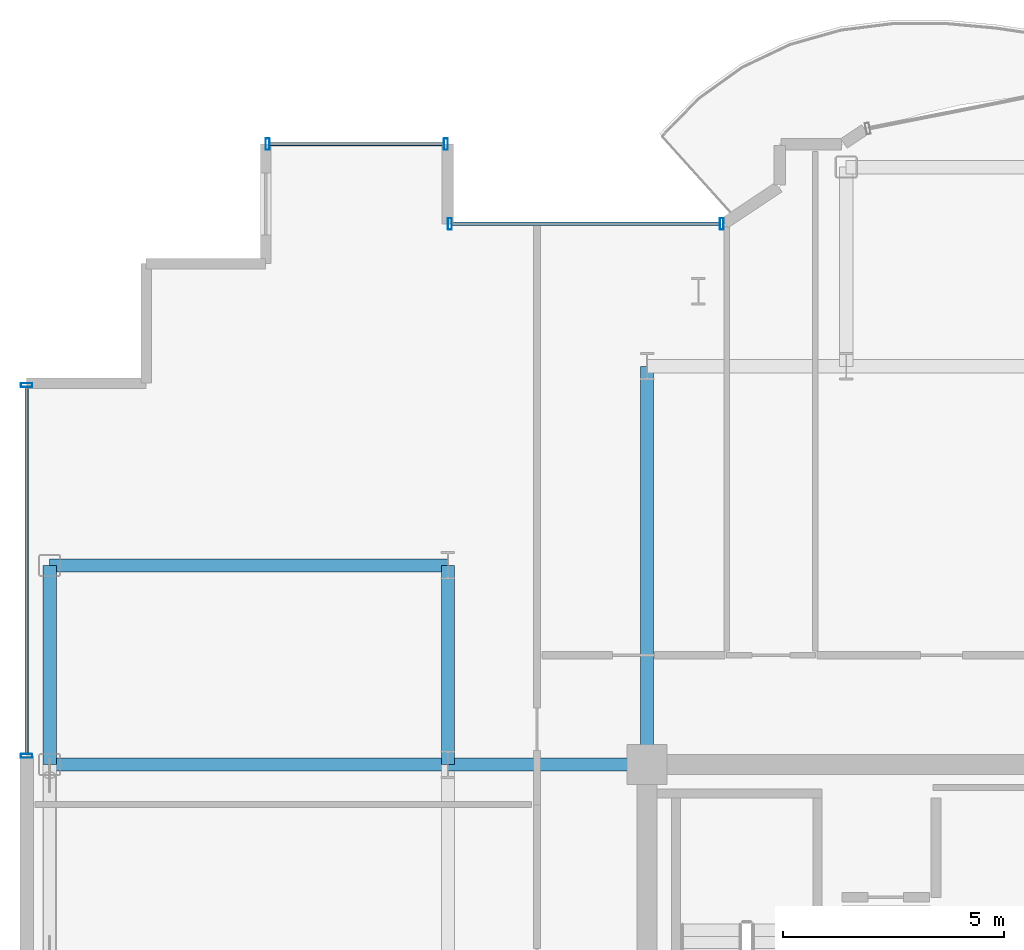
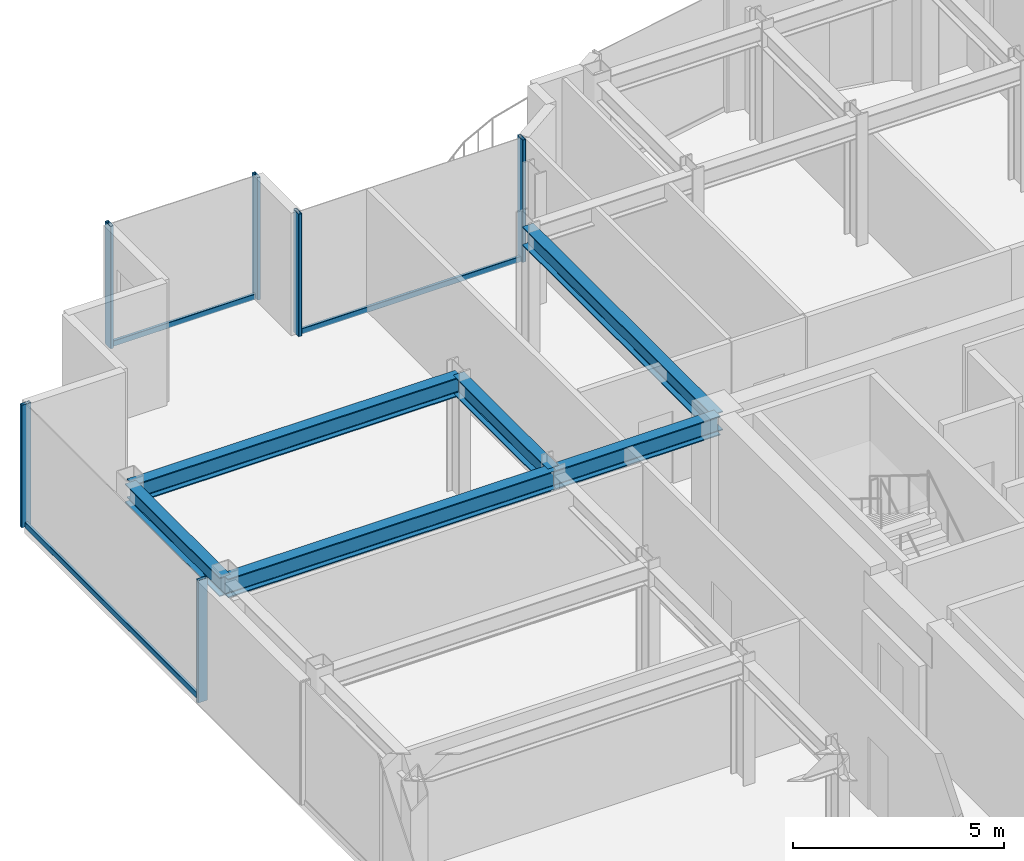
# One storey, part 7 of 16: 9 members, 6 beams, 3 elements without a shape of their own.
"""IFC4 building model written with IfcOpenShell, lengths in metres."""

import ifcopenshell
import ifcopenshell.guid

model = None  # the IFC model being written
_history = None  # IfcOwnerHistory: only IFC2X3 demands one
_inside = {}  # id of a spatial element -> (the spatial element, [elements in it])
_under = {}  # id of a project, library or spatial element -> (it, [spatial elements below it])
_declared = {}  # id of a project -> (the project, [libraries it declares])
_typed = {}  # id of a type object -> (the type object, [elements of that type])
_made_of = {}  # id of a material, layer set ... -> (it, [elements and type objects made of it])


def new_model(schema):
    """Start an empty IFC model of exactly this schema.

    Asked for "IFC4X3", IfcOpenShell would pick the latest addendum, in which some entities
    have other attributes; the version numbers below select the first issue.
    IFC2X3 requires an IfcOwnerHistory on every rooted entity: one is made here for all.
    """
    global model, _history
    if schema == "IFC4X3":
        model = ifcopenshell.file(schema_version=(4, 3, 0, 0))
    else:
        model = ifcopenshell.file(schema=schema)
    _inside.clear()
    _under.clear()
    _declared.clear()
    _typed.clear()
    _made_of.clear()
    _history = None
    if model.schema == "IFC2X3":
        org = make("IfcOrganization", Name="unknown")
        user = make(
            "IfcPersonAndOrganization",
            ThePerson=make("IfcPerson", FamilyName="unknown"),
            TheOrganization=org,
        )
        app = make(
            "IfcApplication",
            ApplicationDeveloper=org,
            Version="unknown",
            ApplicationFullName="unknown",
            ApplicationIdentifier="unknown",
        )
        _history = make(
            "IfcOwnerHistory",
            OwningUser=user,
            OwningApplication=app,
            ChangeAction="ADDED",
            CreationDate=0,
        )
    return model


def make(cls, **values):
    """One entity of the class cls with the attributes given. An attribute that is None is left unset."""
    return model.create_entity(
        cls, **{name: value for name, value in values.items() if value is not None}
    )


def rooted(cls, **values):
    """An entity with a GlobalId (a new one), such as an element, a storey or a relation."""
    return make(cls, GlobalId=ifcopenshell.guid.new(), OwnerHistory=_history, **values)


def si_unit(unit_type, name, prefix=None):
    """IfcSIUnit, for example si_unit("LENGTHUNIT", "METRE", prefix="MILLI")."""
    return make("IfcSIUnit", UnitType=unit_type, Prefix=prefix, Name=name)


def assignment(units):
    """IfcUnitAssignment: the units of a project."""
    return None if units is None else make("IfcUnitAssignment", Units=units)


def point(xyz):
    """IfcCartesianPoint."""
    return None if xyz is None else make("IfcCartesianPoint", Coordinates=xyz)


def direction(xyz):
    """IfcDirection."""
    return None if xyz is None else make("IfcDirection", DirectionRatios=xyz)


def frame(location, z_axis=None, x_axis=None):
    """IfcAxis2Placement3D, a coordinate frame: its origin and axes. An axis left out is left unset."""
    return make(
        "IfcAxis2Placement3D",
        Location=point(location),
        Axis=direction(z_axis),
        RefDirection=direction(x_axis),
    )


def frame_2d(location, x_axis=None):
    """IfcAxis2Placement2D, a coordinate frame in the plane: its origin and x axis."""
    return make(
        "IfcAxis2Placement2D", Location=point(location), RefDirection=direction(x_axis)
    )


def origin():
    """The frame at (0, 0, 0) with its axes left unset."""
    return frame((0.0, 0.0, 0.0))


def origin_2d():
    """The frame at (0, 0) in the plane with its x axis left unset."""
    return frame_2d((0.0, 0.0))


def place(relative_to, where):
    """IfcLocalPlacement: puts the frame where relative to a parent placement (None: the world)."""
    return make(
        "IfcLocalPlacement", PlacementRelTo=relative_to, RelativePlacement=where
    )


def context(
    kind, dimensions, precision=None, world=None, true_north=None, identifier=None
):
    """IfcGeometricRepresentationContext, for example the 3D "Model" context."""
    return make(
        "IfcGeometricRepresentationContext",
        ContextIdentifier=identifier,
        ContextType=kind,
        CoordinateSpaceDimension=dimensions,
        Precision=precision,
        WorldCoordinateSystem=world,
        TrueNorth=true_north,
    )


def subcontext(parent, identifier, kind, view, scale=None):
    """IfcGeometricRepresentationSubContext, for example "Body" below "Model"."""
    return make(
        "IfcGeometricRepresentationSubContext",
        ContextIdentifier=identifier,
        ContextType=kind,
        ParentContext=parent,
        TargetScale=scale,
        TargetView=view,
    )


def project(units=None, contexts=None):
    """IfcProject with its units and contexts."""
    return rooted(
        "IfcProject",
        Name="project",
        RepresentationContexts=contexts,
        UnitsInContext=assignment(units),
    )


def spatial(cls, under=None, at=None, **own):
    """A site, building, storey or space (cls), placed at a placement, below another one or the project."""
    s = rooted(cls, ObjectPlacement=at, **own)
    if under is not None:
        _under.setdefault(under.id(), (under, []))[1].append(s)
    return s


def profile(cls, at=None, kind="AREA", **sizes):
    """A parametric profile (cls). Its sizes go by their IFC names, for example OverallWidth=200.0."""
    return make(cls, ProfileType=kind, Position=at, **sizes)


def hollow_rectangle(**sizes):
    """IfcRectangleHollowProfileDef."""
    return profile("IfcRectangleHollowProfileDef", **sizes)


def i_section(**sizes):
    """IfcIShapeProfileDef."""
    return profile("IfcIShapeProfileDef", **sizes)


def extrude(swept, where, along, depth):
    """IfcExtrudedAreaSolid: the profile swept, set in the frame where, extruded along a direction by depth."""
    return make(
        "IfcExtrudedAreaSolid",
        SweptArea=swept,
        Position=where,
        ExtrudedDirection=direction(along),
        Depth=depth,
    )


def shape(context_of_items, identifier, shape_type, items):
    """IfcShapeRepresentation: the items that make up one representation, for example the "Body"."""
    return make(
        "IfcShapeRepresentation",
        ContextOfItems=context_of_items,
        RepresentationIdentifier=identifier,
        RepresentationType=shape_type,
        Items=items,
    )


def source(mapping_origin, context_of_items, identifier, shape_type, items):
    """IfcRepresentationMap: a shape defined once, which mapped items show again and again."""
    return make(
        "IfcRepresentationMap",
        MappingOrigin=mapping_origin,
        MappedRepresentation=shape(context_of_items, identifier, shape_type, items),
    )


def transform(
    local_origin,
    x_axis=None,
    y_axis=None,
    z_axis=None,
    scale=None,
    scale2=None,
    scale3=None,
    uniform=True,
):
    """IfcCartesianTransformationOperator3D, or its non-uniform kind. x_axis, y_axis, z_axis: its Axis1, 2, 3."""
    if uniform:
        return make(
            "IfcCartesianTransformationOperator3D",
            Axis1=direction(x_axis),
            Axis2=direction(y_axis),
            LocalOrigin=point(local_origin),
            Scale=scale,
            Axis3=direction(z_axis),
        )
    return make(
        "IfcCartesianTransformationOperator3DnonUniform",
        Axis1=direction(x_axis),
        Axis2=direction(y_axis),
        LocalOrigin=point(local_origin),
        Scale=scale,
        Axis3=direction(z_axis),
        Scale2=scale2,
        Scale3=scale3,
    )


def mapped(mapping_source, mapping_target):
    """IfcMappedItem: shows the shape of a source again, moved by a transform."""
    return make(
        "IfcMappedItem", MappingSource=mapping_source, MappingTarget=mapping_target
    )


def material(Name=None, Category=None):
    """IfcMaterial."""
    return make("IfcMaterial", Name=Name, Category=Category)


def layer(
    of_material, thickness, ventilated=None, Name=None, Category=None, Priority=None
):
    """IfcMaterialLayer: one layer of a wall or slab, of a material (None: an air gap)."""
    return make(
        "IfcMaterialLayer",
        Material=of_material,
        LayerThickness=thickness,
        IsVentilated=ventilated,
        Name=Name,
        Category=Category,
        Priority=Priority,
    )


def layer_set(layers, Name=None):
    """IfcMaterialLayerSet."""
    return make("IfcMaterialLayerSet", MaterialLayers=layers, LayerSetName=Name)


def material_profile(
    of_material, cross_section, Name=None, Category=None, Priority=None
):
    """IfcMaterialProfile: a cross section and its material."""
    return make(
        "IfcMaterialProfile",
        Name=Name,
        Material=of_material,
        Profile=cross_section,
        Priority=Priority,
        Category=Category,
    )


def profile_set(profiles, Name=None, composite=None):
    """IfcMaterialProfileSet."""
    return make(
        "IfcMaterialProfileSet",
        Name=Name,
        MaterialProfiles=profiles,
        CompositeProfile=composite,
    )


def made_of(thing, what):
    """Note that an element or type object is made of a material, layer set ...; save() writes the relation."""
    if what is not None:
        _made_of.setdefault(what.id(), (what, []))[1].append(thing)
    return thing


def type_object(cls, material=None, **own):
    """A type object (cls), such as IfcWallType, which elements share."""
    return made_of(rooted(cls, **own), material)


def element(
    cls,
    number,
    at=None,
    inside=None,
    cuts=None,
    type_object=None,
    material=None,
    context=None,
    identifier="Body",
    shape_type=None,
    held_by="IfcProductDefinitionShape",
    body=None,
    shapes=None,
    **own,
):
    """One element of the class cls, such as IfcWall. Its Tag is "e" and its number.

    at: its placement. inside: the storey or other place that contains it. cuts: it is an
    opening in that element (IfcRelVoidsElement). A single representation is given by context,
    identifier, shape_type and body (its items); several are given by shapes. held_by: the class
    of the entity that holds the representations. save() writes the other relations.
    """
    e = rooted(cls, Tag="e%d" % number, ObjectPlacement=at, **own)
    if body is not None:
        shapes = [shape(context, identifier, shape_type, body)]
    if shapes is not None:
        e.Representation = make(held_by, Representations=shapes)
    if inside is not None:
        _inside.setdefault(inside.id(), (inside, []))[1].append(e)
    if cuts is not None:
        rooted(
            "IfcRelVoidsElement", RelatingBuildingElement=cuts, RelatedOpeningElement=e
        )
    if type_object is not None:
        _typed.setdefault(type_object.id(), (type_object, []))[1].append(e)
    return made_of(e, material)


def aggregate(whole, parts):
    """IfcRelAggregates: a whole, such as a stair, and the parts it consists of."""
    return rooted("IfcRelAggregates", RelatingObject=whole, RelatedObjects=parts)


def save(model, path):
    """Write the relations noted so far, then the file.

    IfcRelAggregates (storeys below a building ...), IfcRelContainedInSpatialStructure (elements
    in a storey), IfcRelDefinesByType, IfcRelAssociatesMaterial and IfcRelDeclares: one each for
    every whole, place, type object, material and project.
    """
    for whole, parts in _under.values():
        aggregate(whole, parts)
    for where, things in _inside.values():
        rooted(
            "IfcRelContainedInSpatialStructure",
            RelatedElements=things,
            RelatingStructure=where,
        )
    for kind, things in _typed.values():
        rooted("IfcRelDefinesByType", RelatedObjects=things, RelatingType=kind)
    for what, things in _made_of.values():
        rooted("IfcRelAssociatesMaterial", RelatedObjects=things, RelatingMaterial=what)
    for by, libraries in _declared.values():
        rooted("IfcRelDeclares", RelatingContext=by, RelatedDefinitions=libraries)
    model.write(path)


model = new_model("IFC4")

# Units and contexts
model_context = context("Model", 3, precision=1e-05, world=origin(), true_north=direction((0.0, 1.0)))
body_context = subcontext(model_context, "Body", "Model", "MODEL_VIEW")
ifc_project = project(units=[si_unit("LENGTHUNIT", "METRE"), si_unit("AREAUNIT", "SQUARE_METRE"), si_unit("VOLUMEUNIT", "CUBIC_METRE"), si_unit("PLANEANGLEUNIT", "RADIAN"), si_unit("MASSUNIT", "GRAM", prefix="KILO")], contexts=[model_context])

# Site, building, storey
site_placement = place(None, origin())
site = spatial("IfcSite", under=ifc_project, at=site_placement, CompositionType="ELEMENT")
building_placement = place(site_placement, origin())
building = spatial("IfcBuilding", under=site, at=building_placement, Name="Nefas-Gora Pilgrimage Tower", CompositionType="ELEMENT")
storey_placement = place(building_placement, frame((0.0, 0.0, 310.199951171875)))
storey = spatial("IfcBuildingStorey", under=building, at=storey_placement, Name="L78", CompositionType="ELEMENT", Elevation=310.199951171875)

# Beams
ifc_material_1 = material(Name="Steel S355", Category="steel")
ifc_material_profile_1 = material_profile(ifc_material_1, i_section(OverallWidth=0.300048828125, OverallDepth=0.550048828125, WebThickness=0.014892578125, FlangeThickness=0.029052734375, FilletRadius=0.027099609375, at=origin_2d()), Name="HEB 550")
ifc_profile_set_1 = profile_set([ifc_material_profile_1], Name="Steel S355")
beam_type_1 = type_object("IfcBeamType", Name="BM-SPN-HEB400", PredefinedType="SPANDREL", material=ifc_profile_set_1)
shared_shape_1 = source(origin(), body_context, "Body", "SweptSolid", [
    extrude(i_section(OverallWidth=0.300048828125, OverallDepth=0.550048828125, WebThickness=0.014892578125, FlangeThickness=0.029052734375, FilletRadius=0.027099609375, at=origin_2d()), origin(), (0.0, 0.0, 1.0), 4.5),
])
beam_placement = place(storey_placement, frame((-24.75, 9.0, 3.275146484375), z_axis=(0.0, 1.0, 0.0), x_axis=(-1.0, 0.0, 0.0)))
element("IfcBeam", 1, at=beam_placement, inside=storey, type_object=beam_type_1, Name="L78 SP-04 beam", PredefinedType="SPANDREL", context=body_context, shape_type="MappedRepresentation", body=[
    mapped(shared_shape_1, transform((0.0, 0.0, 0.0), x_axis=(1.0, 0.0, 0.0), y_axis=(0.0, 1.0, 0.0), z_axis=(0.0, 0.0, 1.0), scale=1.0)),
])
ifc_material_profile_2 = material_profile(ifc_material_1, i_section(OverallWidth=0.300048828125, OverallDepth=0.550048828125, WebThickness=0.014892578125, FlangeThickness=0.029052734375, FilletRadius=0.027099609375, at=origin_2d()), Name="HEB 550")
ifc_profile_set_2 = profile_set([ifc_material_profile_2], Name="Steel S355")
beam_type_2 = type_object("IfcBeamType", Name="BM-GIR-HEB550", PredefinedType="BEAM", material=ifc_profile_set_2)
shared_shape_2 = source(origin(), body_context, "Body", "SweptSolid", [
    extrude(i_section(OverallWidth=0.300048828125, OverallDepth=0.550048828125, WebThickness=0.014892578125, FlangeThickness=0.029052734375, FilletRadius=0.027099609375, at=origin_2d()), origin(), (0.0, 0.0, 1.0), 9.0),
])
for number, where, z_axis, x_axis, name in (
    (2, (-24.75, 9.0, 3.275146484375), (1.0, 0.0, 0.0), (0.0, 1.0, 0.0), "L78 G-05 beam"),
    (3, (-24.75, 13.5, 3.275146484375), (1.0, 0.0, 0.0), (0.0, 1.0, 0.0), "L78 G-05 beam"),
    (4, (-11.25, 9.0, 3.275146484375), (0.0, 1.0, 0.0), (-1.0, 0.0, 0.0), "L78 G-05 beam"),
):
    element("IfcBeam", number, at=place(storey_placement, frame(where, z_axis=z_axis, x_axis=x_axis)), inside=storey, type_object=beam_type_2, Name=name, PredefinedType="BEAM", context=body_context, shape_type="MappedRepresentation", body=[
        mapped(shared_shape_2, transform((0.0, 0.0, 0.0), x_axis=(1.0, 0.0, 0.0), y_axis=(0.0, 1.0, 0.0), z_axis=(0.0, 0.0, 1.0), scale=1.0)),
    ])
shared_shape_3 = source(origin(), body_context, "Body", "SweptSolid", [
    extrude(i_section(OverallWidth=0.300048828125, OverallDepth=0.550048828125, WebThickness=0.014892578125, FlangeThickness=0.029052734375, FilletRadius=0.027099609375, at=origin_2d()), origin(), (0.0, 0.0, 1.0), 4.5),
])
for number, where, z_axis, x_axis, name in (
    (5, (-15.75, 9.0, 3.275146484375), (0.0, 1.0, 0.0), (-1.0, 0.0, 0.0), "L78 G-05 beam"),
    (6, (-15.75, 9.0, 3.275146484375), (1.0, 0.0, 0.0), (0.0, 1.0, 0.0), "L78 G-05 beam"),
):
    element("IfcBeam", number, at=place(storey_placement, frame(where, z_axis=z_axis, x_axis=x_axis)), inside=storey, type_object=beam_type_2, Name=name, PredefinedType="BEAM", context=body_context, shape_type="MappedRepresentation", body=[
        mapped(shared_shape_3, transform((0.0, 0.0, 0.0), x_axis=(1.0, 0.0, 0.0), y_axis=(0.0, 1.0, 0.0), z_axis=(0.0, 0.0, 1.0), scale=1.0)),
    ])

# Curtain wall, members
ifc_material_2 = material(Name="Dark ceramic-fritted solar-control aluminium-glass curtain wall", Category="aluminium")
ifc_layer_1 = layer(ifc_material_2, 0.219970703125)
ifc_layer_set_1 = layer_set([ifc_layer_1], Name="Dark ceramic-fritted solar-control aluminium-glass curtain wall")
curtain_wall_type_1 = type_object("IfcCurtainWallType", Name="CW-SYS-5", PredefinedType="NOTDEFINED", material=ifc_layer_set_1)
curtain_wall_1_placement = place(storey_placement, origin())
curtain_wall_1 = element("IfcCurtainWall", 7, at=curtain_wall_1_placement, inside=storey, type_object=curtain_wall_type_1, Name="L78 Unitised Curtain Wall CW5", PredefinedType="NOTDEFINED")
ifc_material_3 = material(Name="Anodised architectural aluminium", Category="aluminium")
ifc_material_profile_3 = material_profile(ifc_material_3, hollow_rectangle(XDim=0.090087890625, YDim=0.260009765625, WallThickness=0.006103515625, InnerFilletRadius=0.006103515625, OuterFilletRadius=0.011962890625, at=origin_2d()), Name="ALU MULLION 90x260")
ifc_profile_set_3 = profile_set([ifc_material_profile_3], Name="Anodised architectural aluminium")
member_type_1 = type_object("IfcMemberType", Name="CWM-MUL-5", PredefinedType="MULLION", material=ifc_profile_set_3)
shared_shape_4 = source(origin(), body_context, "Body", "SweptSolid", [
    extrude(hollow_rectangle(XDim=0.090087890625, YDim=0.260009765625, WallThickness=0.006103515625, InnerFilletRadius=0.006103515625, OuterFilletRadius=0.011962890625, at=origin_2d()), origin(), (0.0, 0.0, 1.0), 3.550048828125),
])
member_1_placement = place(storey_placement, frame((-9.56298828125, 21.219970703125, 0.0), z_axis=(0.0, 0.0, 1.0), x_axis=(-1.0, 0.0, 0.0)))
member_1 = element("IfcMember", 8, at=member_1_placement, type_object=member_type_1, Name="CW5 Mullion 1", PredefinedType="MULLION", context=body_context, shape_type="MappedRepresentation", body=[
    mapped(shared_shape_4, transform((0.0, 0.0, 0.0), x_axis=(1.0, 0.0, 0.0), y_axis=(0.0, 1.0, 0.0), z_axis=(0.0, 0.0, 1.0), scale=1.0)),
])
member_2_placement = place(storey_placement, frame((-15.705078125, 21.219970703125, 0.0), z_axis=(0.0, 0.0, 1.0), x_axis=(-1.0, 0.0, 0.0)))
member_2 = element("IfcMember", 9, at=member_2_placement, type_object=member_type_1, Name="CW5 Mullion 2", PredefinedType="MULLION", context=body_context, shape_type="MappedRepresentation", body=[
    mapped(shared_shape_4, transform((0.0, 0.0, 0.0), x_axis=(1.0, 0.0, 0.0), y_axis=(0.0, 1.0, 0.0), z_axis=(0.0, 0.0, 1.0), scale=1.0)),
])
ifc_material_profile_4 = material_profile(ifc_material_3, hollow_rectangle(XDim=0.080078125, YDim=0.159912109375, WallThickness=0.00439453125, InnerFilletRadius=0.00439453125, OuterFilletRadius=0.009033203125, at=origin_2d()), Name="ALU TRANSOM 80x160")
ifc_profile_set_4 = profile_set([ifc_material_profile_4], Name="Anodised architectural aluminium")
member_type_2 = type_object("IfcMemberType", Name="CWM-TRN-5", PredefinedType="USERDEFINED", material=ifc_profile_set_4)
shared_shape_5 = source(origin(), body_context, "Body", "SweptSolid", [
    extrude(hollow_rectangle(XDim=0.080078125, YDim=0.159912109375, WallThickness=0.00439453125, InnerFilletRadius=0.00439453125, OuterFilletRadius=0.009033203125, at=origin_2d()), origin(), (0.0, 0.0, 1.0), 6.052001953125),
])
member_3_placement = place(storey_placement, frame((-9.60791015625, 21.219970703125, 0.050048828125), z_axis=(-1.0, 0.0, 0.0), x_axis=(0.0, -1.0, 0.0)))
member_3 = element("IfcMember", 10, at=member_3_placement, type_object=member_type_2, Name="CW5 Spandrel Transom", ObjectType="TRANSOM", PredefinedType="USERDEFINED", context=body_context, shape_type="MappedRepresentation", body=[
    mapped(shared_shape_5, transform((0.0, 0.0, 0.0), x_axis=(1.0, 0.0, 0.0), y_axis=(0.0, 1.0, 0.0), z_axis=(0.0, 0.0, 1.0), scale=1.0)),
])
aggregate(curtain_wall_1, [member_1, member_2, member_3])

# Curtain wall, member
ifc_layer_2 = layer(ifc_material_2, 0.219970703125)
ifc_layer_set_2 = layer_set([ifc_layer_2], Name="Dark ceramic-fritted solar-control aluminium-glass curtain wall")
curtain_wall_type_2 = type_object("IfcCurtainWallType", Name="CW-SYS-4", PredefinedType="NOTDEFINED", material=ifc_layer_set_2)
curtain_wall_2_placement = place(storey_placement, origin())
curtain_wall_2 = element("IfcCurtainWall", 11, at=curtain_wall_2_placement, inside=storey, type_object=curtain_wall_type_2, Name="L78 Unitised Curtain Wall CW4", PredefinedType="NOTDEFINED")
ifc_material_profile_5 = material_profile(ifc_material_3, hollow_rectangle(XDim=0.080078125, YDim=0.159912109375, WallThickness=0.00439453125, InnerFilletRadius=0.00439453125, OuterFilletRadius=0.009033203125, at=origin_2d()), Name="ALU TRANSOM 80x160")
ifc_profile_set_5 = profile_set([ifc_material_profile_5], Name="Anodised architectural aluminium")
member_type_3 = type_object("IfcMemberType", Name="CWM-TRN-4", PredefinedType="USERDEFINED", material=ifc_profile_set_5)
shared_shape_6 = source(origin(), body_context, "Body", "SweptSolid", [
    extrude(hollow_rectangle(XDim=0.080078125, YDim=0.159912109375, WallThickness=0.00439453125, InnerFilletRadius=0.00439453125, OuterFilletRadius=0.009033203125, at=origin_2d()), origin(), (0.0, 0.0, 1.0), 8.2900390625),
])
member_4_placement = place(storey_placement, frame((-25.27001953125, 17.530029296875, 0.050048828125), z_axis=(0.0, -1.0, 0.0), x_axis=(1.0, 0.0, 0.0)))
member_4 = element("IfcMember", 12, at=member_4_placement, type_object=member_type_3, Name="CW4 Spandrel Transom", ObjectType="TRANSOM", PredefinedType="USERDEFINED", context=body_context, shape_type="MappedRepresentation", body=[
    mapped(shared_shape_6, transform((0.0, 0.0, 0.0), x_axis=(1.0, 0.0, 0.0), y_axis=(0.0, 1.0, 0.0), z_axis=(0.0, 0.0, 1.0), scale=1.0)),
])

# Curtain wall, members
curtain_wall_3_placement = place(storey_placement, origin())
curtain_wall_3 = element("IfcCurtainWall", 13, at=curtain_wall_3_placement, inside=storey, type_object=curtain_wall_type_2, Name="L78 Unitised Curtain Wall CW4", PredefinedType="NOTDEFINED")
shared_shape_7 = source(origin(), body_context, "Body", "SweptSolid", [
    extrude(hollow_rectangle(XDim=0.080078125, YDim=0.159912109375, WallThickness=0.00439453125, InnerFilletRadius=0.00439453125, OuterFilletRadius=0.009033203125, at=origin_2d()), origin(), (0.0, 0.0, 1.0), 3.93994140625),
])
member_5_placement = place(storey_placement, frame((-15.840087890625, 23.02001953125, 0.050048828125), z_axis=(-1.0, 0.0, 0.0), x_axis=(0.0, -1.0, 0.0)))
member_5 = element("IfcMember", 14, at=member_5_placement, type_object=member_type_3, Name="CW4 Spandrel Transom", ObjectType="TRANSOM", PredefinedType="USERDEFINED", context=body_context, shape_type="MappedRepresentation", body=[
    mapped(shared_shape_7, transform((0.0, 0.0, 0.0), x_axis=(1.0, 0.0, 0.0), y_axis=(0.0, 1.0, 0.0), z_axis=(0.0, 0.0, 1.0), scale=1.0)),
])
ifc_material_profile_6 = material_profile(ifc_material_3, hollow_rectangle(XDim=0.090087890625, YDim=0.260009765625, WallThickness=0.006103515625, InnerFilletRadius=0.006103515625, OuterFilletRadius=0.011962890625, at=origin_2d()), Name="ALU MULLION 90x260")
ifc_profile_set_6 = profile_set([ifc_material_profile_6], Name="Anodised architectural aluminium")
member_type_4 = type_object("IfcMemberType", Name="CWM-MUL-4", PredefinedType="MULLION", material=ifc_profile_set_6)
shared_shape_8 = source(origin(), body_context, "Body", "SweptSolid", [
    extrude(hollow_rectangle(XDim=0.090087890625, YDim=0.260009765625, WallThickness=0.006103515625, InnerFilletRadius=0.006103515625, OuterFilletRadius=0.011962890625, at=origin_2d()), origin(), (0.0, 0.0, 1.0), 3.550048828125),
])
member_6_placement = place(storey_placement, frame((-15.794921875, 23.02001953125, 0.0), z_axis=(0.0, 0.0, 1.0), x_axis=(-1.0, 0.0, 0.0)))
member_6 = element("IfcMember", 15, at=member_6_placement, type_object=member_type_4, Name="CW4 Mullion 1", PredefinedType="MULLION", context=body_context, shape_type="MappedRepresentation", body=[
    mapped(shared_shape_8, transform((0.0, 0.0, 0.0), x_axis=(1.0, 0.0, 0.0), y_axis=(0.0, 1.0, 0.0), z_axis=(0.0, 0.0, 1.0), scale=1.0)),
])
member_7_placement = place(storey_placement, frame((-19.824951171875, 23.02001953125, 0.0), z_axis=(0.0, 0.0, 1.0), x_axis=(-1.0, 0.0, 0.0)))
member_7 = element("IfcMember", 16, at=member_7_placement, type_object=member_type_4, Name="CW4 Mullion 2", PredefinedType="MULLION", context=body_context, shape_type="MappedRepresentation", body=[
    mapped(shared_shape_8, transform((0.0, 0.0, 0.0), x_axis=(1.0, 0.0, 0.0), y_axis=(0.0, 1.0, 0.0), z_axis=(0.0, 0.0, 1.0), scale=1.0)),
])
aggregate(curtain_wall_3, [member_6, member_7, member_5])

# Member
member_8_placement = place(storey_placement, frame((-25.27001953125, 17.574951171875, 0.0), z_axis=(0.0, 0.0, 1.0), x_axis=(0.0, -1.0, 0.0)))
member_8 = element("IfcMember", 17, at=member_8_placement, type_object=member_type_4, Name="CW4 Mullion 1", PredefinedType="MULLION", context=body_context, shape_type="MappedRepresentation", body=[
    mapped(shared_shape_8, transform((0.0, 0.0, 0.0), x_axis=(1.0, 0.0, 0.0), y_axis=(0.0, 1.0, 0.0), z_axis=(0.0, 0.0, 1.0), scale=1.0)),
])

member_9_placement = place(storey_placement, frame((-25.27001953125, 9.195068359375, 0.0), z_axis=(0.0, 0.0, 1.0), x_axis=(0.0, -1.0, 0.0)))
member_9 = element("IfcMember", 18, at=member_9_placement, type_object=member_type_4, Name="CW4 Mullion 2", PredefinedType="MULLION", context=body_context, shape_type="MappedRepresentation", body=[
    mapped(shared_shape_8, transform((0.0, 0.0, 0.0), x_axis=(1.0, 0.0, 0.0), y_axis=(0.0, 1.0, 0.0), z_axis=(0.0, 0.0, 1.0), scale=1.0)),
])

aggregate(curtain_wall_2, [member_8, member_9, member_4])

save(model, "model.ifc")
